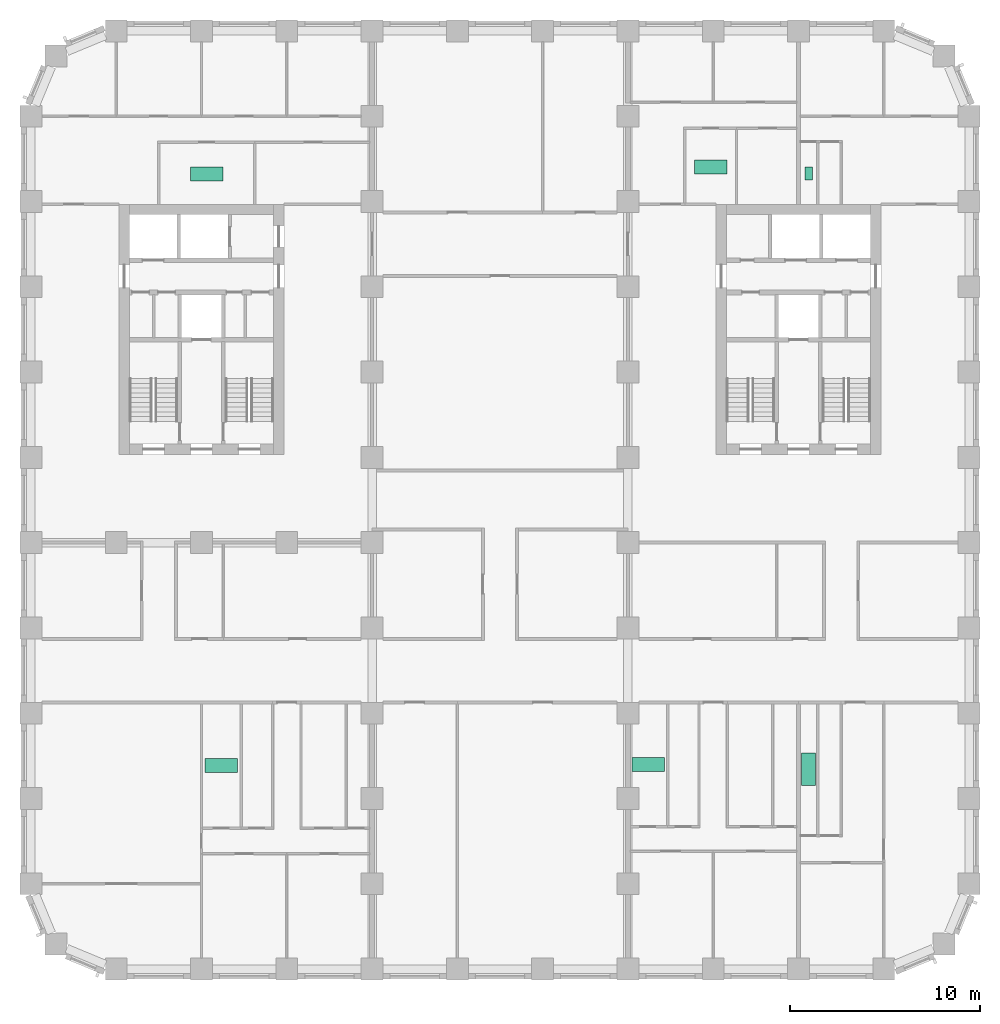
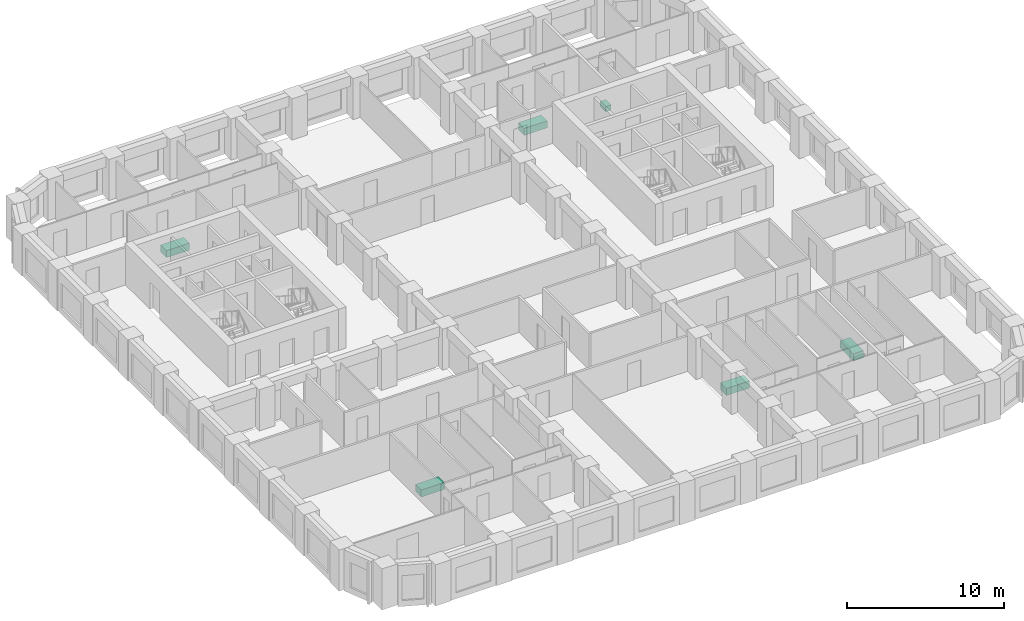
# One storey, part 12 of 12: 6 sanitary terminals.
"""IFC4 building model written with IfcOpenShell, lengths in metres."""

import ifcopenshell
import ifcopenshell.guid

model = None  # the IFC model being written
_history = None  # IfcOwnerHistory: only IFC2X3 demands one
_inside = {}  # id of a spatial element -> (the spatial element, [elements in it])
_under = {}  # id of a project, library or spatial element -> (it, [spatial elements below it])
_declared = {}  # id of a project -> (the project, [libraries it declares])
_typed = {}  # id of a type object -> (the type object, [elements of that type])
_made_of = {}  # id of a material, layer set ... -> (it, [elements and type objects made of it])


def new_model(schema):
    """Start an empty IFC model of exactly this schema.

    Asked for "IFC4X3", IfcOpenShell would pick the latest addendum, in which some entities
    have other attributes; the version numbers below select the first issue.
    IFC2X3 requires an IfcOwnerHistory on every rooted entity: one is made here for all.
    """
    global model, _history
    if schema == "IFC4X3":
        model = ifcopenshell.file(schema_version=(4, 3, 0, 0))
    else:
        model = ifcopenshell.file(schema=schema)
    _inside.clear()
    _under.clear()
    _declared.clear()
    _typed.clear()
    _made_of.clear()
    _history = None
    if model.schema == "IFC2X3":
        org = make("IfcOrganization", Name="unknown")
        user = make(
            "IfcPersonAndOrganization",
            ThePerson=make("IfcPerson", FamilyName="unknown"),
            TheOrganization=org,
        )
        app = make(
            "IfcApplication",
            ApplicationDeveloper=org,
            Version="unknown",
            ApplicationFullName="unknown",
            ApplicationIdentifier="unknown",
        )
        _history = make(
            "IfcOwnerHistory",
            OwningUser=user,
            OwningApplication=app,
            ChangeAction="ADDED",
            CreationDate=0,
        )
    return model


def make(cls, **values):
    """One entity of the class cls with the attributes given. An attribute that is None is left unset."""
    return model.create_entity(
        cls, **{name: value for name, value in values.items() if value is not None}
    )


def rooted(cls, **values):
    """An entity with a GlobalId (a new one), such as an element, a storey or a relation."""
    return make(cls, GlobalId=ifcopenshell.guid.new(), OwnerHistory=_history, **values)


def si_unit(unit_type, name, prefix=None):
    """IfcSIUnit, for example si_unit("LENGTHUNIT", "METRE", prefix="MILLI")."""
    return make("IfcSIUnit", UnitType=unit_type, Prefix=prefix, Name=name)


def assignment(units):
    """IfcUnitAssignment: the units of a project."""
    return None if units is None else make("IfcUnitAssignment", Units=units)


def point(xyz):
    """IfcCartesianPoint."""
    return None if xyz is None else make("IfcCartesianPoint", Coordinates=xyz)


def direction(xyz):
    """IfcDirection."""
    return None if xyz is None else make("IfcDirection", DirectionRatios=xyz)


def frame(location, z_axis=None, x_axis=None):
    """IfcAxis2Placement3D, a coordinate frame: its origin and axes. An axis left out is left unset."""
    return make(
        "IfcAxis2Placement3D",
        Location=point(location),
        Axis=direction(z_axis),
        RefDirection=direction(x_axis),
    )


def frame_2d(location, x_axis=None):
    """IfcAxis2Placement2D, a coordinate frame in the plane: its origin and x axis."""
    return make(
        "IfcAxis2Placement2D", Location=point(location), RefDirection=direction(x_axis)
    )


def origin():
    """The frame at (0, 0, 0) with its axes left unset."""
    return frame((0.0, 0.0, 0.0))


def origin_2d():
    """The frame at (0, 0) in the plane with its x axis left unset."""
    return frame_2d((0.0, 0.0))


def place(relative_to, where):
    """IfcLocalPlacement: puts the frame where relative to a parent placement (None: the world)."""
    return make(
        "IfcLocalPlacement", PlacementRelTo=relative_to, RelativePlacement=where
    )


def context(
    kind, dimensions, precision=None, world=None, true_north=None, identifier=None
):
    """IfcGeometricRepresentationContext, for example the 3D "Model" context."""
    return make(
        "IfcGeometricRepresentationContext",
        ContextIdentifier=identifier,
        ContextType=kind,
        CoordinateSpaceDimension=dimensions,
        Precision=precision,
        WorldCoordinateSystem=world,
        TrueNorth=true_north,
    )


def subcontext(parent, identifier, kind, view, scale=None):
    """IfcGeometricRepresentationSubContext, for example "Body" below "Model"."""
    return make(
        "IfcGeometricRepresentationSubContext",
        ContextIdentifier=identifier,
        ContextType=kind,
        ParentContext=parent,
        TargetScale=scale,
        TargetView=view,
    )


def project(units=None, contexts=None):
    """IfcProject with its units and contexts."""
    return rooted(
        "IfcProject",
        Name="project",
        RepresentationContexts=contexts,
        UnitsInContext=assignment(units),
    )


def spatial(cls, under=None, at=None, **own):
    """A site, building, storey or space (cls), placed at a placement, below another one or the project."""
    s = rooted(cls, ObjectPlacement=at, **own)
    if under is not None:
        _under.setdefault(under.id(), (under, []))[1].append(s)
    return s


def profile(cls, at=None, kind="AREA", **sizes):
    """A parametric profile (cls). Its sizes go by their IFC names, for example OverallWidth=200.0."""
    return make(cls, ProfileType=kind, Position=at, **sizes)


def rectangle(**sizes):
    """IfcRectangleProfileDef."""
    return profile("IfcRectangleProfileDef", **sizes)


def extrude(swept, where, along, depth):
    """IfcExtrudedAreaSolid: the profile swept, set in the frame where, extruded along a direction by depth."""
    return make(
        "IfcExtrudedAreaSolid",
        SweptArea=swept,
        Position=where,
        ExtrudedDirection=direction(along),
        Depth=depth,
    )


def shape(context_of_items, identifier, shape_type, items):
    """IfcShapeRepresentation: the items that make up one representation, for example the "Body"."""
    return make(
        "IfcShapeRepresentation",
        ContextOfItems=context_of_items,
        RepresentationIdentifier=identifier,
        RepresentationType=shape_type,
        Items=items,
    )


def material(Name=None, Category=None):
    """IfcMaterial."""
    return make("IfcMaterial", Name=Name, Category=Category)


def made_of(thing, what):
    """Note that an element or type object is made of a material, layer set ...; save() writes the relation."""
    if what is not None:
        _made_of.setdefault(what.id(), (what, []))[1].append(thing)
    return thing


def type_object(cls, material=None, **own):
    """A type object (cls), such as IfcWallType, which elements share."""
    return made_of(rooted(cls, **own), material)


def element(
    cls,
    number,
    at=None,
    inside=None,
    cuts=None,
    type_object=None,
    material=None,
    context=None,
    identifier="Body",
    shape_type=None,
    held_by="IfcProductDefinitionShape",
    body=None,
    shapes=None,
    **own,
):
    """One element of the class cls, such as IfcWall. Its Tag is "e" and its number.

    at: its placement. inside: the storey or other place that contains it. cuts: it is an
    opening in that element (IfcRelVoidsElement). A single representation is given by context,
    identifier, shape_type and body (its items); several are given by shapes. held_by: the class
    of the entity that holds the representations. save() writes the other relations.
    """
    e = rooted(cls, Tag="e%d" % number, ObjectPlacement=at, **own)
    if body is not None:
        shapes = [shape(context, identifier, shape_type, body)]
    if shapes is not None:
        e.Representation = make(held_by, Representations=shapes)
    if inside is not None:
        _inside.setdefault(inside.id(), (inside, []))[1].append(e)
    if cuts is not None:
        rooted(
            "IfcRelVoidsElement", RelatingBuildingElement=cuts, RelatedOpeningElement=e
        )
    if type_object is not None:
        _typed.setdefault(type_object.id(), (type_object, []))[1].append(e)
    return made_of(e, material)


def aggregate(whole, parts):
    """IfcRelAggregates: a whole, such as a stair, and the parts it consists of."""
    return rooted("IfcRelAggregates", RelatingObject=whole, RelatedObjects=parts)


def save(model, path):
    """Write the relations noted so far, then the file.

    IfcRelAggregates (storeys below a building ...), IfcRelContainedInSpatialStructure (elements
    in a storey), IfcRelDefinesByType, IfcRelAssociatesMaterial and IfcRelDeclares: one each for
    every whole, place, type object, material and project.
    """
    for whole, parts in _under.values():
        aggregate(whole, parts)
    for where, things in _inside.values():
        rooted(
            "IfcRelContainedInSpatialStructure",
            RelatedElements=things,
            RelatingStructure=where,
        )
    for kind, things in _typed.values():
        rooted("IfcRelDefinesByType", RelatedObjects=things, RelatingType=kind)
    for what, things in _made_of.values():
        rooted("IfcRelAssociatesMaterial", RelatedObjects=things, RelatingMaterial=what)
    for by, libraries in _declared.values():
        rooted("IfcRelDeclares", RelatingContext=by, RelatedDefinitions=libraries)
    model.write(path)


model = new_model("IFC4")

# Units and contexts
model_context = context("Model", 3, precision=1e-05, world=origin(), true_north=direction((0.0, 1.0)))
body_context = subcontext(model_context, "Body", "Model", "MODEL_VIEW")
ifc_project = project(units=[si_unit("LENGTHUNIT", "METRE"), si_unit("AREAUNIT", "SQUARE_METRE"), si_unit("VOLUMEUNIT", "CUBIC_METRE"), si_unit("PLANEANGLEUNIT", "RADIAN"), si_unit("MASSUNIT", "GRAM", prefix="KILO")], contexts=[model_context])

# Site, building, storey
site_placement = place(None, origin())
site = spatial("IfcSite", under=ifc_project, at=site_placement, CompositionType="ELEMENT")
building_placement = place(site_placement, origin())
building = spatial("IfcBuilding", under=site, at=building_placement, Name="Girih Gate Residences", CompositionType="ELEMENT")
storey_placement = place(building_placement, frame((0.0, 0.0, 108.800048828125)))
storey = spatial("IfcBuildingStorey", under=building, at=storey_placement, Name="L30", CompositionType="ELEMENT", Elevation=108.800048828125)

# Sanitary terminals
ifc_material_1 = material(Name="Acrylic")
sanitary_terminal_type_1 = type_object("IfcSanitaryTerminalType", Name="Bath 1700", PredefinedType="BATH", material=ifc_material_1)
for number, where, z_axis, x_axis, name in (
    (1, (10.047119140625, 10.7490234375, 0.0), (0.0, 0.0, 1.0), (1.0, 0.0, 0.0), "Bath 1700 L30"),
    (2, (9.280029296875, 41.9541015625, 0.0), (0.0, 0.0, 1.0), (1.0, 0.0, 0.0), "Bath 1700 L30"),
):
    element("IfcSanitaryTerminal", number, at=place(storey_placement, frame(where, z_axis=z_axis, x_axis=x_axis)), inside=storey, type_object=sanitary_terminal_type_1, Name=name, PredefinedType="BATH", context=body_context, shape_type="SweptSolid", body=[
        extrude(rectangle(XDim=1.699951171875, YDim=0.75, at=origin_2d()), origin(), (0.0, 0.0, 1.0), 0.550048828125),
    ])
sanitary_terminal_1_placement = place(storey_placement, frame((41.030029296875, 10.549072265625, 0.0), z_axis=(0.0, 0.0, 1.0), x_axis=(1.0, 0.0, 0.0)))
element("IfcSanitaryTerminal", 3, at=sanitary_terminal_1_placement, inside=storey, type_object=sanitary_terminal_type_1, Name="Bath 1700 L30", PredefinedType="BATH", context=body_context, shape_type="SweptSolid", body=[
    extrude(rectangle(XDim=0.75, YDim=1.699951171875, at=origin_2d()), origin(), (0.0, 0.0, 1.0), 0.550048828125),
])
for number, where, z_axis, x_axis, name in (
    (4, (32.576904296875, 10.7890625, 0.0), (0.0, 0.0, 1.0), (1.0, 0.0, 0.0), "Bath 1700 L30"),
    (5, (35.864990234375, 42.321044921875, 0.0), (0.0, 0.0, 1.0), (1.0, 0.0, 0.0), "Bath 1700 L30"),
):
    element("IfcSanitaryTerminal", number, at=place(storey_placement, frame(where, z_axis=z_axis, x_axis=x_axis)), inside=storey, type_object=sanitary_terminal_type_1, Name=name, PredefinedType="BATH", context=body_context, shape_type="SweptSolid", body=[
        extrude(rectangle(XDim=1.699951171875, YDim=0.75, at=origin_2d()), origin(), (0.0, 0.0, 1.0), 0.550048828125),
    ])
ifc_material_2 = material(Name="Vitreous china")
sanitary_terminal_type_2 = type_object("IfcSanitaryTerminalType", Name="WC pan", PredefinedType="TOILETPAN", material=ifc_material_2)
sanitary_terminal_2_placement = place(storey_placement, frame((41.030029296875, 41.97412109375, 0.0), z_axis=(0.0, 0.0, 1.0), x_axis=(1.0, 0.0, 0.0)))
element("IfcSanitaryTerminal", 6, at=sanitary_terminal_2_placement, inside=storey, type_object=sanitary_terminal_type_2, Name="WC pan L30", PredefinedType="TOILETPAN", context=body_context, shape_type="SweptSolid", body=[
    extrude(rectangle(XDim=0.39990234375, YDim=0.699951171875, at=origin_2d()), origin(), (0.0, 0.0, 1.0), 0.39990234375),
])

save(model, "model.ifc")
